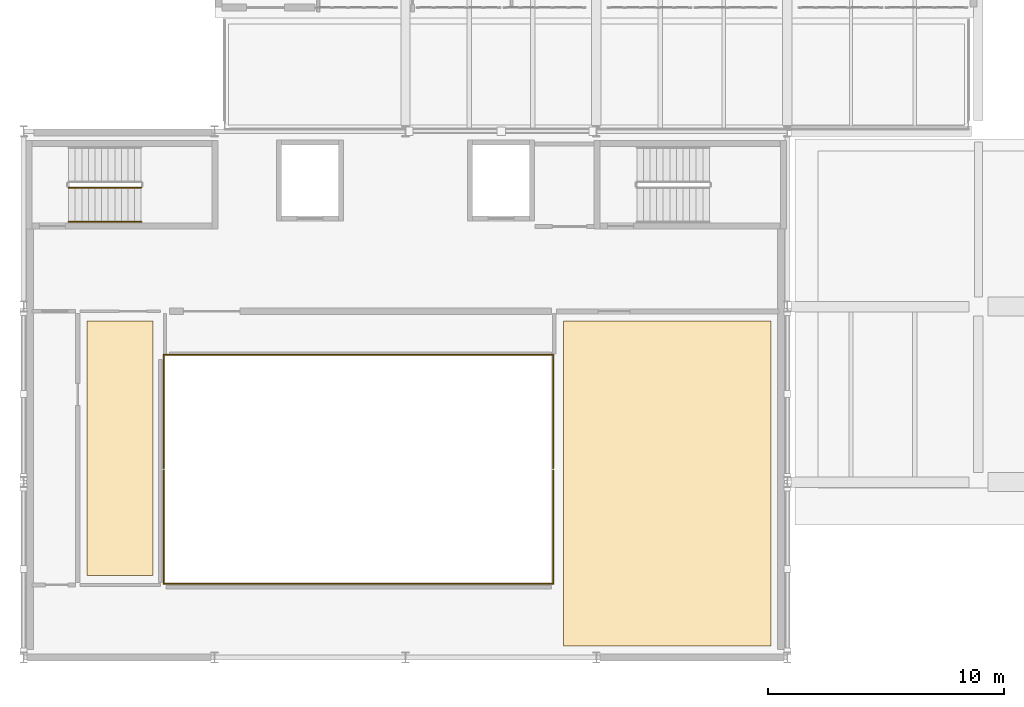
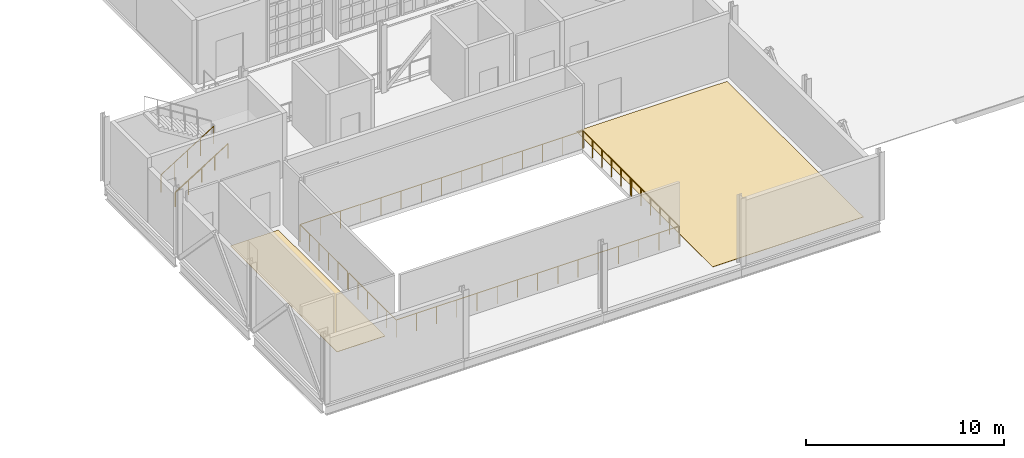
# One storey, part 22 of 25: 4 railings, 2 coverings.
"""IFC4 building model written with IfcOpenShell, lengths in metres."""

from ifc_helpers import new_model, si_unit, direction, frame, origin, origin_2d, place, context, subcontext, project, spatial, polyline, circle, outline, extrude, material, layer, layer_set, type_object, element, save


model = new_model("IFC4")

# Units and contexts
model_context = context("Model", 3, precision=1e-05, world=origin(), true_north=direction((0.0, 1.0)))
body_context = subcontext(model_context, "Body", "Model", "MODEL_VIEW")
ifc_project = project(units=[si_unit("LENGTHUNIT", "METRE"), si_unit("AREAUNIT", "SQUARE_METRE"), si_unit("VOLUMEUNIT", "CUBIC_METRE"), si_unit("PLANEANGLEUNIT", "RADIAN"), si_unit("MASSUNIT", "GRAM", prefix="KILO")], contexts=[model_context])

# Site, building, storey
site_placement = place(None, origin())
site = spatial("IfcSite", under=ifc_project, at=site_placement, CompositionType="ELEMENT")
building_placement = place(site_placement, origin())
building = spatial("IfcBuilding", under=site, at=building_placement, Name="Kaelora Sail Theatre", CompositionType="ELEMENT")
storey_placement = place(building_placement, frame((0.0, 0.0, 19.199951171875)))
storey = spatial("IfcBuildingStorey", under=building, at=storey_placement, Name="L04", CompositionType="ELEMENT", Elevation=19.199951171875)

# Coverings
ifc_material_1 = material(Name="Acoustic rubber backstage studio flooring", Category="rubber")
ifc_layer = layer(ifc_material_1, 0.02197265625)
ifc_layer_set = layer_set([ifc_layer], Name="Acoustic rubber backstage studio flooring")
covering_type = type_object("IfcCoveringType", Name="ARC-COV-FLR-AC-22", PredefinedType="FLOORING", material=ifc_layer_set)
covering_1_placement = place(storey_placement, origin())
element("IfcCovering", 1, at=covering_1_placement, inside=storey, type_object=covering_type, Name="Architectural flooring L04-FLY-WEST4", PredefinedType="FLOORING", context=body_context, shape_type="SweptSolid", body=[
    extrude(outline(polyline([(28.5, 64.5), (31.300048828125, 64.5), (31.300048828125, 75.300048828125), (28.5, 75.300048828125), (28.5, 64.5)])), origin(), (0.0, 0.0, 1.0), 0.02197265625),
])
covering_2_placement = place(storey_placement, origin())
element("IfcCovering", 2, at=covering_2_placement, inside=storey, type_object=covering_type, Name="Architectural flooring L04-FLY-EAST", PredefinedType="FLOORING", context=body_context, shape_type="SweptSolid", body=[
    extrude(outline(polyline([(48.699951171875, 61.5), (57.5, 61.5), (57.5, 75.300048828125), (48.699951171875, 75.300048828125), (48.699951171875, 61.5)])), origin(), (0.0, 0.0, 1.0), 0.02197265625),
])

# Railings
ifc_material_2 = material(Name="Painted steel and laminated safety glass guard", Category="steel")
railing_type_1 = type_object("IfcRailingType", Name="ARC-RL-GRD", PredefinedType="GUARDRAIL", material=ifc_material_2)
railing_1_placement = place(storey_placement, frame((27.7099609375, 80.949951171875, 0.175048828125)))
element("IfcRailing", 3, at=railing_1_placement, inside=storey, type_object=railing_type_1, Name="L04 ST-K1 stair guard 1", PredefinedType="GUARDRAIL", context=body_context, shape_type="SweptSolid", body=[
    extrude(circle(Radius=0.02392578125, at=origin_2d()), frame((0.0, 0.0, 1.076171875), z_axis=(0.847998304005, 0.0, 0.529998940003), x_axis=(0.0, 1.0, 0.0)), (0.0, 0.0, 1.0), 3.632080078125),
    extrude(circle(Radius=0.02099609375, at=origin_2d()), origin(), (0.0, 0.0, 1.0), 1.052001953125),
    extrude(circle(Radius=0.02099609375, at=origin_2d()), frame((0.77001953125, 0.0, 0.481201171875)), (0.0, 0.0, 1.0), 1.052001953125),
    extrude(circle(Radius=0.02099609375, at=origin_2d()), frame((1.5400390625, 0.0, 0.96240234375)), (0.0, 0.0, 1.0), 1.052001953125),
    extrude(circle(Radius=0.02099609375, at=origin_2d()), frame((2.31005859375, 0.0, 1.44384765625)), (0.0, 0.0, 1.0), 1.052001953125),
    extrude(circle(Radius=0.02099609375, at=origin_2d()), frame((3.080078125, 0.0, 1.925048828125)), (0.0, 0.0, 1.0), 1.052001953125),
])
railing_2_placement = place(storey_placement, frame((31.739990234375, 68.949951171875, 0.0)))
element("IfcRailing", 4, at=railing_2_placement, inside=storey, type_object=railing_type_1, Name="Interior void balustrade FLY-V4 south", PredefinedType="GUARDRAIL", context=body_context, shape_type="SweptSolid", body=[
    extrude(circle(Radius=0.02392578125, at=origin_2d()), frame((0.0, 0.0, 1.076171875), z_axis=(0.0, -1.0, 0.0), x_axis=(1.0, 0.0, 0.0)), (0.0, 0.0, 1.0), 4.81005859375),
    extrude(circle(Radius=0.02392578125, at=origin_2d()), frame((0.0, -4.81005859375, 1.076171875), z_axis=(1.0, 0.0, 0.0), x_axis=(0.0, 1.0, 0.0)), (0.0, 0.0, 1.0), 16.52001953125),
    extrude(circle(Radius=0.02392578125, at=origin_2d()), frame((16.52001953125, -4.81005859375, 1.076171875), z_axis=(0.0, 1.0, 0.0), x_axis=(-1.0, 0.0, 0.0)), (0.0, 0.0, 1.0), 4.81005859375),
    extrude(circle(Radius=0.02099609375, at=origin_2d()), origin(), (0.0, 0.0, 1.0), 1.052001953125),
    extrude(circle(Radius=0.02099609375, at=origin_2d()), frame((0.0, -0.9619140625, 0.0)), (0.0, 0.0, 1.0), 1.052001953125),
    extrude(circle(Radius=0.02099609375, at=origin_2d()), frame((0.0, -1.924072265625, 0.0)), (0.0, 0.0, 1.0), 1.052001953125),
    extrude(circle(Radius=0.02099609375, at=origin_2d()), frame((0.0, -2.885986328125, 0.0)), (0.0, 0.0, 1.0), 1.052001953125),
    extrude(circle(Radius=0.02099609375, at=origin_2d()), frame((0.0, -3.84814453125, 0.0)), (0.0, 0.0, 1.0), 1.052001953125),
    extrude(circle(Radius=0.02099609375, at=origin_2d()), frame((0.0, -4.81005859375, 0.0)), (0.0, 0.0, 1.0), 1.052001953125),
    extrude(circle(Radius=0.02099609375, at=origin_2d()), frame((1.179931640625, -4.81005859375, 0.0)), (0.0, 0.0, 1.0), 1.052001953125),
    extrude(circle(Radius=0.02099609375, at=origin_2d()), frame((2.360107421875, -4.81005859375, 0.0)), (0.0, 0.0, 1.0), 1.052001953125),
    extrude(circle(Radius=0.02099609375, at=origin_2d()), frame((3.5400390625, -4.81005859375, 0.0)), (0.0, 0.0, 1.0), 1.052001953125),
    extrude(circle(Radius=0.02099609375, at=origin_2d()), frame((4.719970703125, -4.81005859375, 0.0)), (0.0, 0.0, 1.0), 1.052001953125),
    extrude(circle(Radius=0.02099609375, at=origin_2d()), frame((5.89990234375, -4.81005859375, 0.0)), (0.0, 0.0, 1.0), 1.052001953125),
    extrude(circle(Radius=0.02099609375, at=origin_2d()), frame((7.080078125, -4.81005859375, 0.0)), (0.0, 0.0, 1.0), 1.052001953125),
    extrude(circle(Radius=0.02099609375, at=origin_2d()), frame((8.260009765625, -4.81005859375, 0.0)), (0.0, 0.0, 1.0), 1.052001953125),
    extrude(circle(Radius=0.02099609375, at=origin_2d()), frame((9.43994140625, -4.81005859375, 0.0)), (0.0, 0.0, 1.0), 1.052001953125),
    extrude(circle(Radius=0.02099609375, at=origin_2d()), frame((10.6201171875, -4.81005859375, 0.0)), (0.0, 0.0, 1.0), 1.052001953125),
    extrude(circle(Radius=0.02099609375, at=origin_2d()), frame((11.800048828125, -4.81005859375, 0.0)), (0.0, 0.0, 1.0), 1.052001953125),
    extrude(circle(Radius=0.02099609375, at=origin_2d()), frame((12.97998046875, -4.81005859375, 0.0)), (0.0, 0.0, 1.0), 1.052001953125),
    extrude(circle(Radius=0.02099609375, at=origin_2d()), frame((14.159912109375, -4.81005859375, 0.0)), (0.0, 0.0, 1.0), 1.052001953125),
    extrude(circle(Radius=0.02099609375, at=origin_2d()), frame((15.340087890625, -4.81005859375, 0.0)), (0.0, 0.0, 1.0), 1.052001953125),
    extrude(circle(Radius=0.02099609375, at=origin_2d()), frame((16.52001953125, -4.81005859375, 0.0)), (0.0, 0.0, 1.0), 1.052001953125),
    extrude(circle(Radius=0.02099609375, at=origin_2d()), frame((16.52001953125, -3.84814453125, 0.0)), (0.0, 0.0, 1.0), 1.052001953125),
    extrude(circle(Radius=0.02099609375, at=origin_2d()), frame((16.52001953125, -2.885986328125, 0.0)), (0.0, 0.0, 1.0), 1.052001953125),
    extrude(circle(Radius=0.02099609375, at=origin_2d()), frame((16.52001953125, -1.924072265625, 0.0)), (0.0, 0.0, 1.0), 1.052001953125),
    extrude(circle(Radius=0.02099609375, at=origin_2d()), frame((16.52001953125, -0.9619140625, 0.0)), (0.0, 0.0, 1.0), 1.052001953125),
    extrude(circle(Radius=0.02099609375, at=origin_2d()), frame((16.52001953125, 0.0, 0.0)), (0.0, 0.0, 1.0), 1.052001953125),
])
railing_3_placement = place(storey_placement, frame((48.260009765625, 69.050048828125, 0.0)))
element("IfcRailing", 5, at=railing_3_placement, inside=storey, type_object=railing_type_1, Name="Interior void balustrade FLY-V4 north", PredefinedType="GUARDRAIL", context=body_context, shape_type="SweptSolid", body=[
    extrude(circle(Radius=0.02392578125, at=origin_2d()), frame((0.0, 0.0, 1.076171875), z_axis=(0.0, 1.0, 0.0), x_axis=(-1.0, 0.0, 0.0)), (0.0, 0.0, 1.0), 4.81005859375),
    extrude(circle(Radius=0.02392578125, at=origin_2d()), frame((0.0, 4.81005859375, 1.076171875), z_axis=(-1.0, 0.0, 0.0), x_axis=(0.0, -1.0, 0.0)), (0.0, 0.0, 1.0), 16.52001953125),
    extrude(circle(Radius=0.02392578125, at=origin_2d()), frame((-16.52001953125, 4.81005859375, 1.076171875), z_axis=(0.0, -1.0, 0.0), x_axis=(1.0, 0.0, 0.0)), (0.0, 0.0, 1.0), 4.81005859375),
    extrude(circle(Radius=0.02099609375, at=origin_2d()), origin(), (0.0, 0.0, 1.0), 1.052001953125),
    extrude(circle(Radius=0.02099609375, at=origin_2d()), frame((0.0, 0.9619140625, 0.0)), (0.0, 0.0, 1.0), 1.052001953125),
    extrude(circle(Radius=0.02099609375, at=origin_2d()), frame((0.0, 1.924072265625, 0.0)), (0.0, 0.0, 1.0), 1.052001953125),
    extrude(circle(Radius=0.02099609375, at=origin_2d()), frame((0.0, 2.885986328125, 0.0)), (0.0, 0.0, 1.0), 1.052001953125),
    extrude(circle(Radius=0.02099609375, at=origin_2d()), frame((0.0, 3.84814453125, 0.0)), (0.0, 0.0, 1.0), 1.052001953125),
    extrude(circle(Radius=0.02099609375, at=origin_2d()), frame((0.0, 4.81005859375, 0.0)), (0.0, 0.0, 1.0), 1.052001953125),
    extrude(circle(Radius=0.02099609375, at=origin_2d()), frame((-1.179931640625, 4.81005859375, 0.0)), (0.0, 0.0, 1.0), 1.052001953125),
    extrude(circle(Radius=0.02099609375, at=origin_2d()), frame((-2.360107421875, 4.81005859375, 0.0)), (0.0, 0.0, 1.0), 1.052001953125),
    extrude(circle(Radius=0.02099609375, at=origin_2d()), frame((-3.5400390625, 4.81005859375, 0.0)), (0.0, 0.0, 1.0), 1.052001953125),
    extrude(circle(Radius=0.02099609375, at=origin_2d()), frame((-4.719970703125, 4.81005859375, 0.0)), (0.0, 0.0, 1.0), 1.052001953125),
    extrude(circle(Radius=0.02099609375, at=origin_2d()), frame((-5.89990234375, 4.81005859375, 0.0)), (0.0, 0.0, 1.0), 1.052001953125),
    extrude(circle(Radius=0.02099609375, at=origin_2d()), frame((-7.080078125, 4.81005859375, 0.0)), (0.0, 0.0, 1.0), 1.052001953125),
    extrude(circle(Radius=0.02099609375, at=origin_2d()), frame((-8.260009765625, 4.81005859375, 0.0)), (0.0, 0.0, 1.0), 1.052001953125),
    extrude(circle(Radius=0.02099609375, at=origin_2d()), frame((-9.43994140625, 4.81005859375, 0.0)), (0.0, 0.0, 1.0), 1.052001953125),
    extrude(circle(Radius=0.02099609375, at=origin_2d()), frame((-10.6201171875, 4.81005859375, 0.0)), (0.0, 0.0, 1.0), 1.052001953125),
    extrude(circle(Radius=0.02099609375, at=origin_2d()), frame((-11.800048828125, 4.81005859375, 0.0)), (0.0, 0.0, 1.0), 1.052001953125),
    extrude(circle(Radius=0.02099609375, at=origin_2d()), frame((-12.97998046875, 4.81005859375, 0.0)), (0.0, 0.0, 1.0), 1.052001953125),
    extrude(circle(Radius=0.02099609375, at=origin_2d()), frame((-14.159912109375, 4.81005859375, 0.0)), (0.0, 0.0, 1.0), 1.052001953125),
    extrude(circle(Radius=0.02099609375, at=origin_2d()), frame((-15.340087890625, 4.81005859375, 0.0)), (0.0, 0.0, 1.0), 1.052001953125),
    extrude(circle(Radius=0.02099609375, at=origin_2d()), frame((-16.52001953125, 4.81005859375, 0.0)), (0.0, 0.0, 1.0), 1.052001953125),
    extrude(circle(Radius=0.02099609375, at=origin_2d()), frame((-16.52001953125, 3.84814453125, 0.0)), (0.0, 0.0, 1.0), 1.052001953125),
    extrude(circle(Radius=0.02099609375, at=origin_2d()), frame((-16.52001953125, 2.885986328125, 0.0)), (0.0, 0.0, 1.0), 1.052001953125),
    extrude(circle(Radius=0.02099609375, at=origin_2d()), frame((-16.52001953125, 1.924072265625, 0.0)), (0.0, 0.0, 1.0), 1.052001953125),
    extrude(circle(Radius=0.02099609375, at=origin_2d()), frame((-16.52001953125, 0.9619140625, 0.0)), (0.0, 0.0, 1.0), 1.052001953125),
    extrude(circle(Radius=0.02099609375, at=origin_2d()), frame((-16.52001953125, 0.0, 0.0)), (0.0, 0.0, 1.0), 1.052001953125),
])
ifc_material_3 = material(Name="Brushed stainless steel 316L tubular handrail", Category="steel")
railing_type_2 = type_object("IfcRailingType", Name="ARC-RL-HND", PredefinedType="HANDRAIL", material=ifc_material_3)
railing_4_placement = place(storey_placement, frame((27.7099609375, 79.5, 0.175048828125)))
element("IfcRailing", 6, at=railing_4_placement, inside=storey, type_object=railing_type_2, Name="L04 ST-K1 stair handrail 1", PredefinedType="HANDRAIL", context=body_context, shape_type="SweptSolid", body=[
    extrude(circle(Radius=0.02392578125, at=origin_2d()), frame((0.0, 0.0, 0.8759765625), z_axis=(0.847998304005, 0.0, 0.529998940003), x_axis=(0.0, 1.0, 0.0)), (0.0, 0.0, 1.0), 3.632080078125),
    extrude(circle(Radius=0.02099609375, at=origin_2d()), origin(), (0.0, 0.0, 1.0), 0.851806640625),
    extrude(circle(Radius=0.02099609375, at=origin_2d()), frame((0.77001953125, 0.0, 0.481201171875)), (0.0, 0.0, 1.0), 0.851806640625),
    extrude(circle(Radius=0.02099609375, at=origin_2d()), frame((1.5400390625, 0.0, 0.96240234375)), (0.0, 0.0, 1.0), 0.851806640625),
    extrude(circle(Radius=0.02099609375, at=origin_2d()), frame((2.31005859375, 0.0, 1.44384765625)), (0.0, 0.0, 1.0), 0.851806640625),
    extrude(circle(Radius=0.02099609375, at=origin_2d()), frame((3.080078125, 0.0, 1.925048828125)), (0.0, 0.0, 1.0), 0.851806640625),
])

save(model, "model.ifc")
